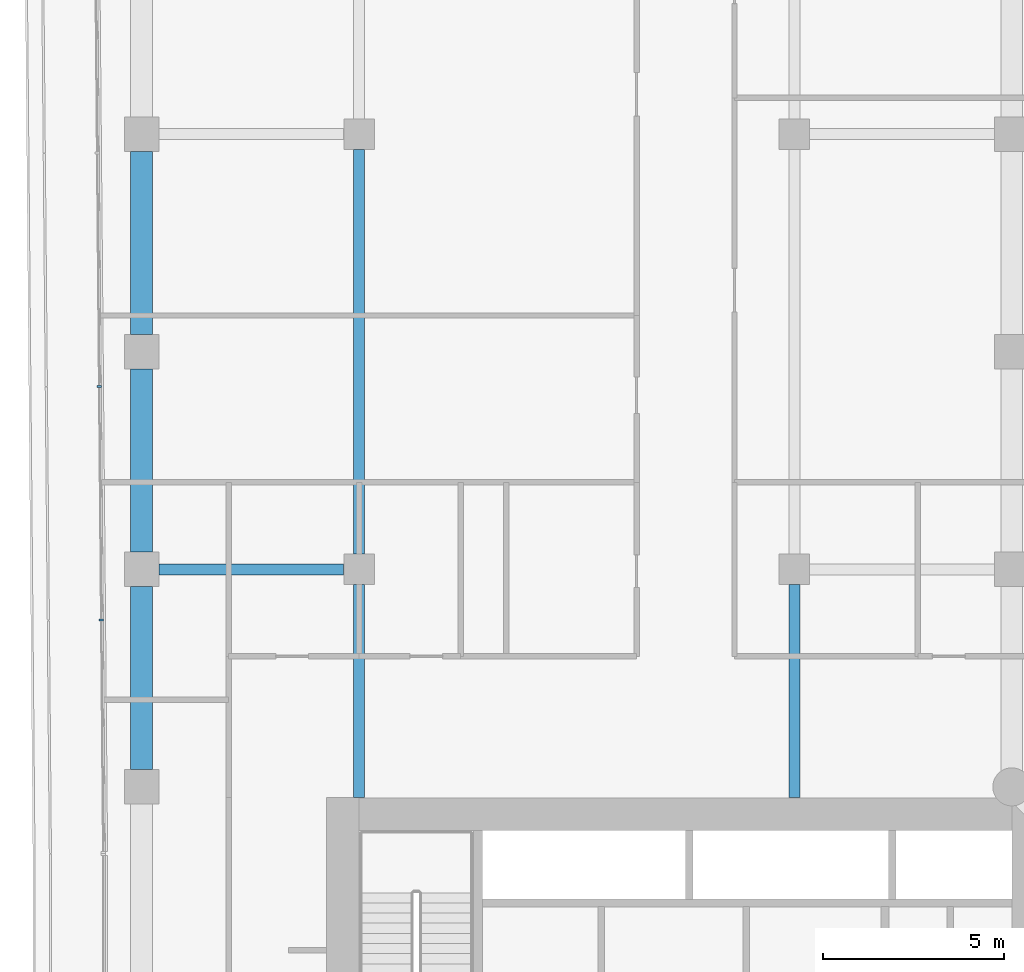
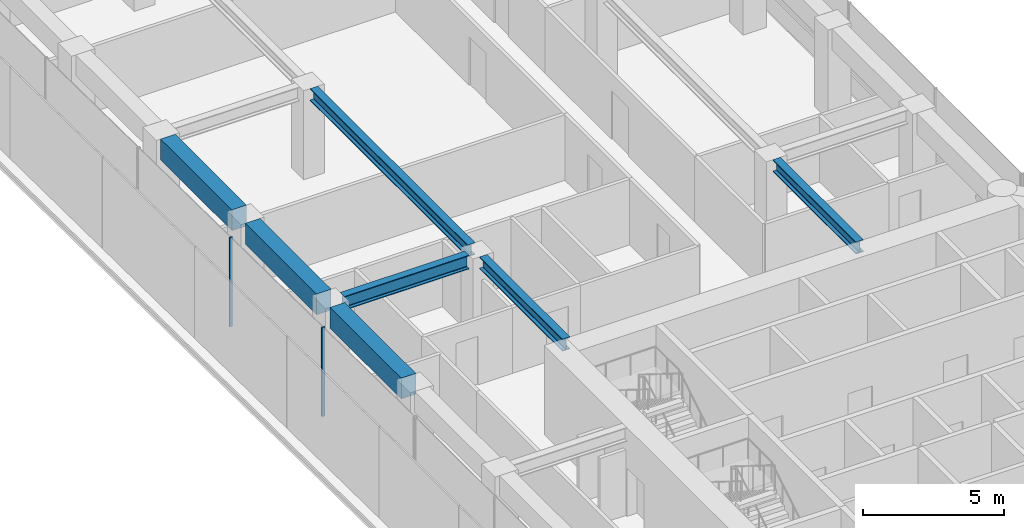
# One storey, part 12 of 28: 7 beams, 2 members, 1 element without a shape of its own.
"""IFC4 building model written with IfcOpenShell, lengths in metres."""

from ifc_helpers import new_model, si_unit, direction, frame, origin, origin_2d, place, context, subcontext, project, spatial, rectangle, i_section, extrude, material, layer, layer_set, material_profile, profile_set, type_object, element, aggregate, save


model = new_model("IFC4")

# Units and contexts
model_context = context("Model", 3, precision=1e-05, world=origin(), true_north=direction((0.0, 1.0)))
body_context = subcontext(model_context, "Body", "Model", "MODEL_VIEW")
ifc_project = project(units=[si_unit("LENGTHUNIT", "METRE"), si_unit("AREAUNIT", "SQUARE_METRE"), si_unit("VOLUMEUNIT", "CUBIC_METRE"), si_unit("PLANEANGLEUNIT", "RADIAN"), si_unit("MASSUNIT", "GRAM", prefix="KILO")], contexts=[model_context])

# Site, building, storey
site_placement = place(None, origin())
site = spatial("IfcSite", under=ifc_project, at=site_placement, CompositionType="ELEMENT")
building_placement = place(site_placement, origin())
building = spatial("IfcBuilding", under=site, at=building_placement, Name="Welwitschia Terrace Campus", CompositionType="ELEMENT")
storey_placement = place(building_placement, frame((0.0, 0.0, 54.199951171875)))
storey = spatial("IfcBuildingStorey", under=building, at=storey_placement, Name="L12", CompositionType="ELEMENT", Elevation=54.199951171875)

# Beams
ifc_material_1 = material(Name="Steel S355", Category="steel")
ifc_material_profile_1 = material_profile(ifc_material_1, i_section(OverallWidth=0.305908203125, OverallDepth=0.52392578125, WebThickness=0.02099609375, FlangeThickness=0.0400390625, FilletRadius=0.027099609375, at=origin_2d()))
ifc_profile_set_1 = profile_set([ifc_material_profile_1], Name="Steel S355")
beam_type_1 = type_object("IfcBeamType", Name="Interior girder HE 500 M", PredefinedType="BEAM", material=ifc_profile_set_1)
beam_1_placement = place(storey_placement, frame((6.0, 25.700927734375, 3.588134765625), z_axis=(0.0, 1.0, 0.0), x_axis=(-1.0, 0.0, 0.0)))
element("IfcBeam", 1, at=beam_1_placement, inside=storey, type_object=beam_type_1, Name="Girder GB2", PredefinedType="BEAM", context=body_context, shape_type="SweptSolid", body=[
    extrude(i_section(OverallWidth=0.305908203125, OverallDepth=0.52392578125, WebThickness=0.02099609375, FlangeThickness=0.0400390625, FilletRadius=0.027099609375, at=origin_2d()), origin(), (0.0, 0.0, 1.0), 5.87353515625),
])
beam_2_placement = place(storey_placement, frame((6.0, 32.425537109375, 3.588134765625), z_axis=(0.0, 1.0, 0.0), x_axis=(-1.0, 0.0, 0.0)))
element("IfcBeam", 2, at=beam_2_placement, inside=storey, type_object=beam_type_1, Name="Girder GB2", PredefinedType="BEAM", context=body_context, shape_type="SweptSolid", body=[
    extrude(i_section(OverallWidth=0.305908203125, OverallDepth=0.52392578125, WebThickness=0.02099609375, FlangeThickness=0.0400390625, FilletRadius=0.027099609375, at=origin_2d()), origin(), (0.0, 0.0, 1.0), 11.14892578125),
])
beam_3_placement = place(storey_placement, frame((18.0, 25.700927734375, 3.588134765625), z_axis=(0.0, 1.0, 0.0), x_axis=(-1.0, 0.0, 0.0)))
element("IfcBeam", 3, at=beam_3_placement, inside=storey, type_object=beam_type_1, Name="Girder GB2", PredefinedType="BEAM", context=body_context, shape_type="SweptSolid", body=[
    extrude(i_section(OverallWidth=0.305908203125, OverallDepth=0.52392578125, WebThickness=0.02099609375, FlangeThickness=0.0400390625, FilletRadius=0.027099609375, at=origin_2d()), origin(), (0.0, 0.0, 1.0), 5.87353515625),
])

# Curtain wall, members
ifc_material_2 = material(Name="Bronze anodised aluminium", Category="aluminium")
ifc_layer = layer(ifc_material_2, 0.1201171875)
ifc_layer_set = layer_set([ifc_layer], Name="Bronze anodised aluminium")
curtain_wall_type = type_object("IfcCurtainWallType", Name="Curtain wall CW2 tower 6000", PredefinedType="NOTDEFINED", material=ifc_layer_set)
curtain_wall_placement = place(storey_placement, origin())
curtain_wall = element("IfcCurtainWall", 4, at=curtain_wall_placement, inside=storey, type_object=curtain_wall_type, Name="CW L12.0.0", PredefinedType="NOTDEFINED")
ifc_material_3 = material(Name="Bronze anodised aluminium", Category="aluminium")
ifc_material_profile_2 = material_profile(ifc_material_3, rectangle(XDim=0.1201171875, YDim=0.06005859375, at=origin_2d()))
ifc_profile_set_2 = profile_set([ifc_material_profile_2], Name="Bronze anodised aluminium")
member_type = type_object("IfcMemberType", Name="Mullion 60x120", PredefinedType="MULLION", material=ifc_profile_set_2)
member_1_placement = place(storey_placement, frame((-1.17041015625, 37.044189453125, 0.0), z_axis=(0.0, 0.0, 1.0), x_axis=(0.999961923064, 0.008726535498, 0.0)))
member_1 = element("IfcMember", 5, at=member_1_placement, type_object=member_type, Name="Mullion L12.0.0.4", PredefinedType="MULLION", context=body_context, shape_type="SweptSolid", body=[
    extrude(rectangle(XDim=0.1201171875, YDim=0.06005859375, at=origin_2d()), origin(), (0.0, 0.0, 1.0), 3.85009765625),
])
member_2_placement = place(storey_placement, frame((-1.1142578125, 30.602783203125, 0.0), z_axis=(0.0, 0.0, 1.0), x_axis=(0.999961923064, 0.008726535498, 0.0)))
member_2 = element("IfcMember", 6, at=member_2_placement, type_object=member_type, Name="Mullion L12.0.0.5", PredefinedType="MULLION", context=body_context, shape_type="SweptSolid", body=[
    extrude(rectangle(XDim=0.1201171875, YDim=0.06005859375, at=origin_2d()), origin(), (0.0, 0.0, 1.0), 3.85009765625),
])
aggregate(curtain_wall, [member_1, member_2])

# Beams
ifc_material_4 = material(Name="Steel S355", Category="steel")
ifc_material_profile_3 = material_profile(ifc_material_4, i_section(OverallWidth=0.300048828125, OverallDepth=0.60009765625, WebThickness=0.015380859375, FlangeThickness=0.030029296875, FilletRadius=0.027099609375, at=origin_2d()))
ifc_profile_set_3 = profile_set([ifc_material_profile_3], Name="Steel S355")
beam_type_2 = type_object("IfcBeamType", Name="Primary beam HE 600 B", PredefinedType="BEAM", material=ifc_profile_set_3)
beam_4_placement = place(storey_placement, frame((0.4755859375, 32.0, 3.550048828125), z_axis=(1.0, 0.0, 0.0), x_axis=(0.0, 1.0, 0.0)))
element("IfcBeam", 7, at=beam_4_placement, inside=storey, type_object=beam_type_2, Name="Primary beam PB2", PredefinedType="BEAM", context=body_context, shape_type="SweptSolid", body=[
    extrude(i_section(OverallWidth=0.300048828125, OverallDepth=0.60009765625, WebThickness=0.015380859375, FlangeThickness=0.030029296875, FilletRadius=0.027099609375, at=origin_2d()), origin(), (0.0, 0.0, 1.0), 5.098876953125),
])
ifc_material_5 = material(Name="Concrete C60/75", Category="concrete")
ifc_material_profile_4 = material_profile(ifc_material_5, rectangle(XDim=0.60009765625, YDim=0.89990234375, at=origin_2d()))
ifc_profile_set_4 = profile_set([ifc_material_profile_4], Name="Concrete C60/75")
beam_type_3 = type_object("IfcBeamType", Name="Ring spandrel 600x900", PredefinedType="SPANDREL", material=ifc_profile_set_4)
for number, where, z_axis, x_axis, name in (
    (8, (0.0, 43.5244140625, 3.400146484375), (0.0, -1.0, 0.0), (1.0, 0.0, 0.0), "Spandrel SP2"),
    (9, (0.0, 37.5244140625, 3.400146484375), (0.0, -1.0, 0.0), (1.0, 0.0, 0.0), "Spandrel SP2"),
    (10, (0.0, 31.5244140625, 3.400146484375), (0.0, -1.0, 0.0), (1.0, 0.0, 0.0), "Spandrel SP2"),
):
    element("IfcBeam", number, at=place(storey_placement, frame(where, z_axis=z_axis, x_axis=x_axis)), inside=storey, type_object=beam_type_3, Name=name, PredefinedType="SPANDREL", context=body_context, shape_type="SweptSolid", body=[
        extrude(rectangle(XDim=0.60009765625, YDim=0.89990234375, at=origin_2d()), origin(), (0.0, 0.0, 1.0), 5.048828125),
    ])

save(model, "model.ifc")
